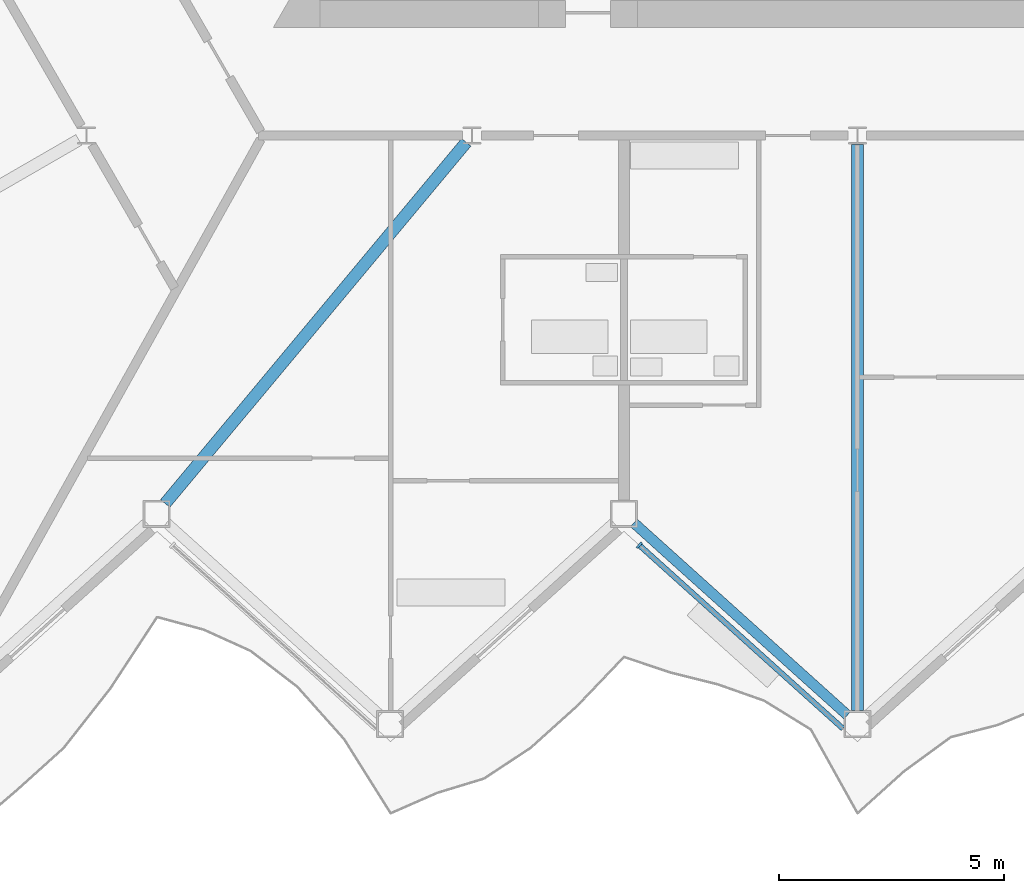
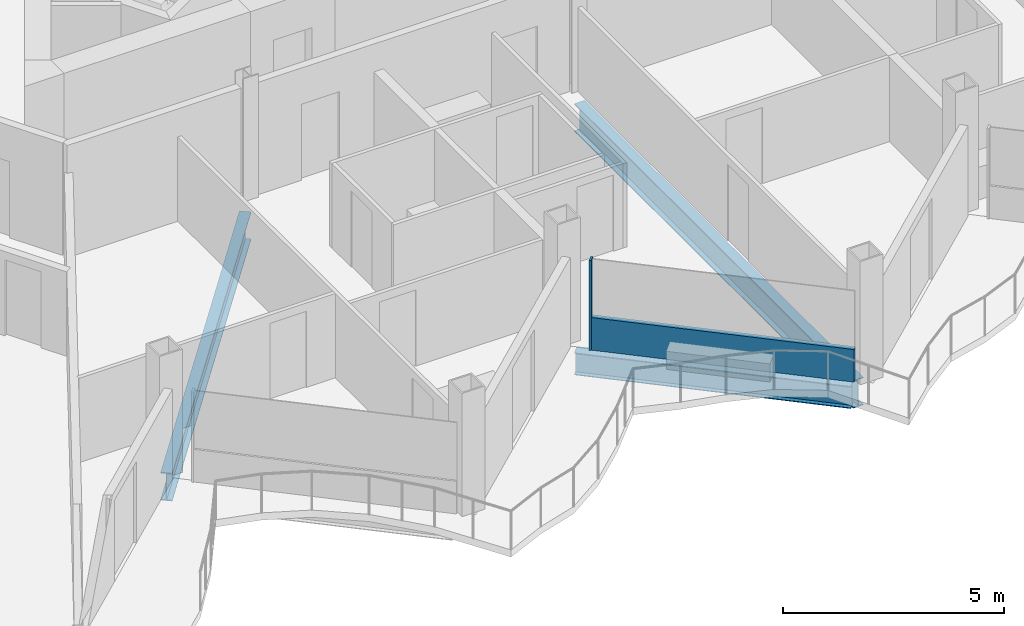
# One storey, part 5 of 26: 3 beams, 2 members, 1 element without a shape of its own.
"""IFC4 building model written with IfcOpenShell, lengths in metres."""

from ifc_helpers import new_model, si_unit, direction, frame, origin, origin_2d, place, context, subcontext, project, spatial, rectangle, i_section, extrude, material, layer, layer_set, material_profile, profile_set, type_object, element, aggregate, save


model = new_model("IFC4")

# Units and contexts
model_context = context("Model", 3, precision=1e-05, world=origin(), true_north=direction((0.0, 1.0)))
body_context = subcontext(model_context, "Body", "Model", "MODEL_VIEW")
ifc_project = project(units=[si_unit("LENGTHUNIT", "METRE"), si_unit("AREAUNIT", "SQUARE_METRE"), si_unit("VOLUMEUNIT", "CUBIC_METRE"), si_unit("PLANEANGLEUNIT", "RADIAN"), si_unit("MASSUNIT", "GRAM", prefix="KILO")], contexts=[model_context])

# Site, building, storey
site_placement = place(None, origin())
site = spatial("IfcSite", under=ifc_project, at=site_placement, CompositionType="ELEMENT")
building_placement = place(site_placement, origin())
building = spatial("IfcBuilding", under=site, at=building_placement, Name="Cormorant Prow Tower", CompositionType="ELEMENT")
storey_placement = place(building_placement, frame((0.0, 0.0, 329.0)))
storey = spatial("IfcBuildingStorey", under=building, at=storey_placement, Name="L73", CompositionType="ELEMENT", Elevation=329.0)

# Beams
ifc_material_1 = material(Name="Structural steel ASTM A992 Gr 50", Category="steel")
ifc_material_profile_1 = material_profile(ifc_material_1, i_section(OverallWidth=0.267822265625, OverallDepth=0.77001953125, WebThickness=0.015625, FlangeThickness=0.025390625, at=origin_2d()), Name="W30x132")
ifc_profile_set_1 = profile_set([ifc_material_profile_1], Name="Structural steel ASTM A992 Gr 50")
beam_type_1 = type_object("IfcBeamType", Name="Radial floor beam W30x132", PredefinedType="BEAM", material=ifc_profile_set_1)
beam_1_placement = place(storey_placement, frame((-8.705078125, -10.057373046875, -0.68505859375), z_axis=(-0.640239469619, -0.768175384624, 0.0), x_axis=(0.768175384624, -0.640239469619, 0.0)))
element("IfcBeam", 1, at=beam_1_placement, inside=storey, type_object=beam_type_1, Name="Radial floor beam FB3 6 L73", PredefinedType="BEAM", context=body_context, shape_type="SweptSolid", body=[
    extrude(i_section(OverallWidth=0.267822265625, OverallDepth=0.77001953125, WebThickness=0.015625, FlangeThickness=0.025390625, at=origin_2d()), origin(), (0.0, 0.0, 1.0), 10.465087890625),
])
beam_2_placement = place(storey_placement, frame((0.0, -10.103271484375, -0.68505859375), z_axis=(0.0, -1.0, 0.0), x_axis=(1.0, 0.0, 0.0)))
element("IfcBeam", 2, at=beam_2_placement, inside=storey, type_object=beam_type_1, Name="Radial floor beam FB3 7 L73", PredefinedType="BEAM", context=body_context, shape_type="SweptSolid", body=[
    extrude(i_section(OverallWidth=0.267822265625, OverallDepth=0.77001953125, WebThickness=0.015625, FlangeThickness=0.025390625, at=origin_2d()), origin(), (0.0, 0.0, 1.0), 12.604736328125),
])

# Curtain wall, members
ifc_material_2 = material(Name="Aluminium 6063-T6", Category="aluminium")
ifc_layer = layer(ifc_material_2, 0.159912109375)
ifc_layer_set = layer_set([ifc_layer], Name="Aluminium 6063-T6")
curtain_wall_type = type_object("IfcCurtainWallType", Name="Residential unitised curtain wall 160", PredefinedType="NOTDEFINED", material=ifc_layer_set)
curtain_wall_placement = place(storey_placement, origin())
curtain_wall = element("IfcCurtainWall", 3, at=curtain_wall_placement, inside=storey, type_object=curtain_wall_type, Name="Residential curtain wall S04", PredefinedType="NOTDEFINED")
ifc_material_3 = material(Name="Aluminium 6063-T6", Category="aluminium")
ifc_material_profile_2 = material_profile(ifc_material_3, rectangle(XDim=0.159912109375, YDim=0.050048828125, at=origin_2d()), Name="Residential mullion 50x160")
ifc_profile_set_2 = profile_set([ifc_material_profile_2], Name="Aluminium 6063-T6")
member_type_1 = type_object("IfcMemberType", Name="Residential mullion 50x160", PredefinedType="MULLION", material=ifc_profile_set_2)
member_1_placement = place(storey_placement, frame((-4.853515625, -19.025146484375, 0.0), z_axis=(0.0, 0.0, 1.0), x_axis=(0.669130654479, 0.74314478215, 0.0)))
member_1 = element("IfcMember", 4, at=member_1_placement, type_object=member_type_1, Name="Residential mullion S04", PredefinedType="MULLION", context=body_context, shape_type="SweptSolid", body=[
    extrude(rectangle(XDim=0.159912109375, YDim=0.050048828125, at=origin_2d()), origin(), (0.0, 0.0, 1.0), 2.48779296875),
])
ifc_material_4 = material(Name="Terracotta", Category="masonry")
ifc_material_profile_3 = material_profile(ifc_material_4, rectangle(XDim=0.1201171875, YDim=0.89990234375, at=origin_2d()), Name="Residential terracotta spandrel rail 120x900")
ifc_profile_set_3 = profile_set([ifc_material_profile_3], Name="Terracotta")
member_type_2 = type_object("IfcMemberType", Name="Residential terracotta spandrel rail 120x900", PredefinedType="USERDEFINED", material=ifc_profile_set_3)
member_2_placement = place(storey_placement, frame((-4.8349609375, -19.0419921875, 0.449951171875), z_axis=(0.74314818338, -0.669126877012, 0.0), x_axis=(0.669126877012, 0.74314818338, 0.0)))
member_2 = element("IfcMember", 5, at=member_2_placement, type_object=member_type_2, Name="Residential spandrel rail S04", ObjectType="TRANSOM", PredefinedType="USERDEFINED", context=body_context, shape_type="SweptSolid", body=[
    extrude(rectangle(XDim=0.1201171875, YDim=0.89990234375, at=origin_2d()), origin(), (0.0, 0.0, 1.0), 6.072021484375),
])
aggregate(curtain_wall, [member_1, member_2])

# Beam
ifc_material_5 = material(Name="Structural steel ASTM A992 Gr 50", Category="steel")
ifc_material_profile_4 = material_profile(ifc_material_5, i_section(OverallWidth=0.22900390625, OverallDepth=0.612060546875, WebThickness=0.011962890625, FlangeThickness=0.01953125, at=origin_2d()), Name="W24x84")
ifc_profile_set_4 = profile_set([ifc_material_profile_4], Name="Structural steel ASTM A992 Gr 50")
beam_type_2 = type_object("IfcBeamType", Name="Spandrel beam W24x84", PredefinedType="SPANDREL", material=ifc_profile_set_4)
beam_3_placement = place(storey_placement, frame((-4.97607421875, -18.527587890625, -0.60595703125), z_axis=(0.743144186555, -0.669131315954, 0.0), x_axis=(0.669131315954, 0.743144186555, 0.0)))
element("IfcBeam", 6, at=beam_3_placement, inside=storey, type_object=beam_type_2, Name="Spandrel beam SB3 S04-S05 L73", PredefinedType="SPANDREL", context=body_context, shape_type="SweptSolid", body=[
    extrude(i_section(OverallWidth=0.22900390625, OverallDepth=0.612060546875, WebThickness=0.011962890625, FlangeThickness=0.01953125, at=origin_2d()), origin(), (0.0, 0.0, 1.0), 6.39599609375),
])

save(model, "model.ifc")
